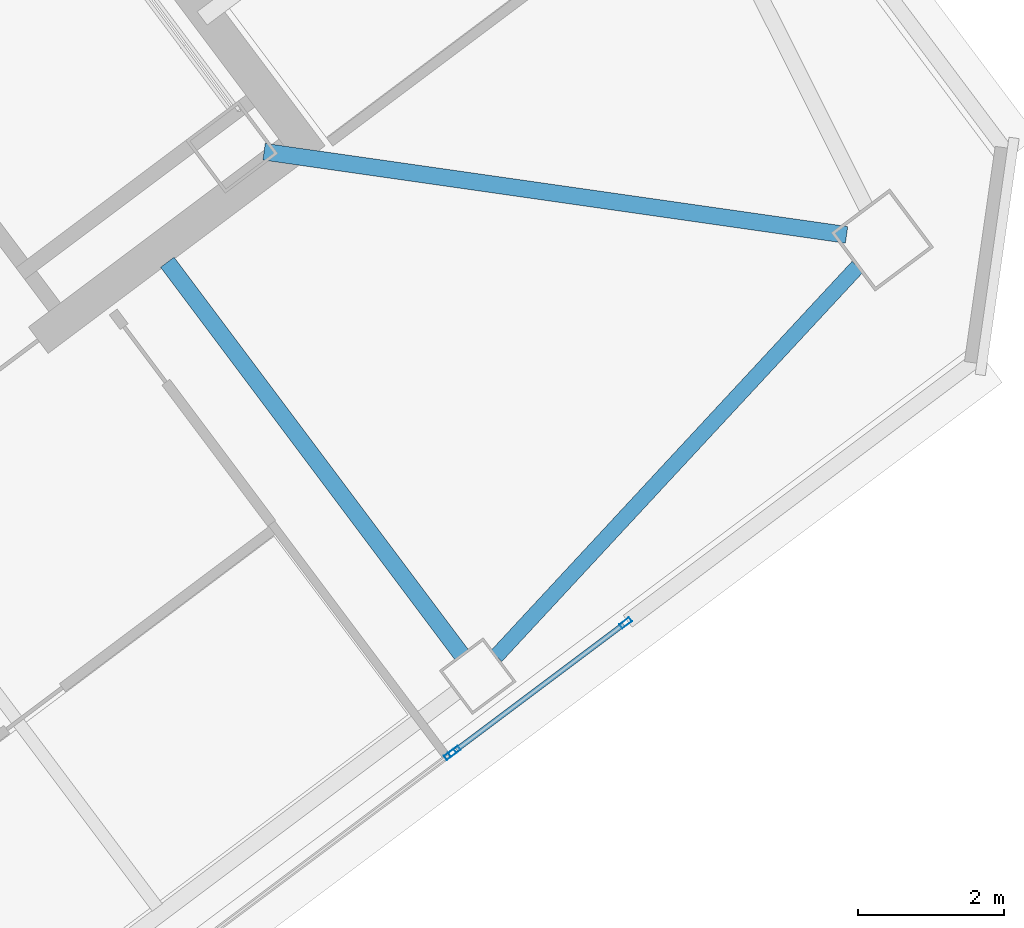
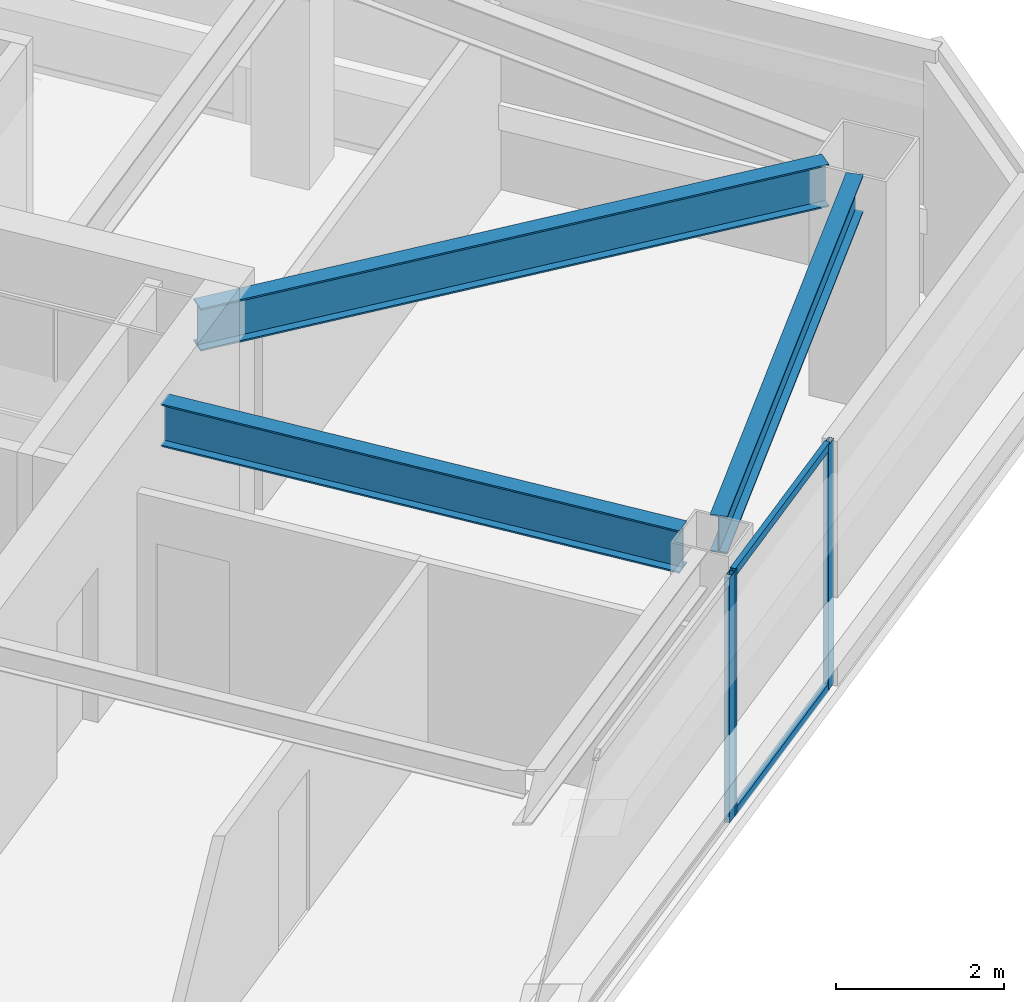
# One storey, part 23 of 39: 5 members, 3 beams, 2 elements without a shape of their own.
"""IFC4 building model written with IfcOpenShell, lengths in metres."""

from ifc_helpers import new_model, si_unit, direction, frame, origin, origin_2d, place, context, subcontext, project, spatial, hollow_rectangle, i_section, extrude, material, material_profile, profile_set, type_object, element, aggregate, save


model = new_model("IFC4")

# Units and contexts
model_context = context("Model", 3, precision=1e-05, world=origin(), true_north=direction((0.0, 1.0)))
body_context = subcontext(model_context, "Body", "Model", "MODEL_VIEW")
ifc_project = project(units=[si_unit("LENGTHUNIT", "METRE"), si_unit("AREAUNIT", "SQUARE_METRE"), si_unit("VOLUMEUNIT", "CUBIC_METRE"), si_unit("PLANEANGLEUNIT", "RADIAN"), si_unit("MASSUNIT", "GRAM", prefix="KILO")], contexts=[model_context])

# Site, building, storey
site_placement = place(None, origin())
site = spatial("IfcSite", under=ifc_project, at=site_placement, CompositionType="ELEMENT")
building_placement = place(site_placement, origin())
building = spatial("IfcBuilding", under=site, at=building_placement, Name="Tashvorn Skyway Center", CompositionType="ELEMENT")
storey_placement = place(building_placement, frame((0.0, 0.0, 225.5)))
storey = spatial("IfcBuildingStorey", under=building, at=storey_placement, Name="L61", CompositionType="ELEMENT", Elevation=225.5)

# Beams
ifc_material_1 = material(Name="Steel ASTM A992 Grade 50", Category="steel")
ifc_material_profile_1 = material_profile(ifc_material_1, i_section(OverallWidth=0.22998046875, OverallDepth=0.616943359375, WebThickness=0.01318359375, FlangeThickness=0.022216796875, at=origin_2d()), Name="W24X94")
ifc_profile_set_1 = profile_set([ifc_material_profile_1], Name="Steel ASTM A992 Grade 50")
beam_type_1 = type_object("IfcBeamType", Name="BM-BEAM-W24X94", PredefinedType="BEAM", material=ifc_profile_set_1)
beam_1_placement = place(storey_placement, frame((132.27001953125, 29.389892578125, 3.0615234375), z_axis=(-0.989947064346, 0.141438360399, 0.0), x_axis=(-0.141438360399, -0.989947064346, 0.0)))
element("IfcBeam", 1, at=beam_1_placement, inside=storey, type_object=beam_type_1, Name="Tower 2 L61 Primary Floor Girder MC-SE", PredefinedType="BEAM", context=body_context, shape_type="SweptSolid", body=[
    extrude(i_section(OverallWidth=0.22998046875, OverallDepth=0.616943359375, WebThickness=0.01318359375, FlangeThickness=0.022216796875, at=origin_2d()), origin(), (0.0, 0.0, 1.0), 8.040283203125),
])
beam_2_placement = place(storey_placement, frame((127.008056640625, 23.656005859375, 3.0615234375), z_axis=(-0.599994169845, 0.800004372583, 0.0), x_axis=(-0.800004372583, -0.599994169845, 0.0)))
element("IfcBeam", 2, at=beam_2_placement, inside=storey, type_object=beam_type_1, Name="Tower 2 L61 Primary Floor Girder FC-S2", PredefinedType="BEAM", context=body_context, shape_type="SweptSolid", body=[
    extrude(i_section(OverallWidth=0.22998046875, OverallDepth=0.616943359375, WebThickness=0.01318359375, FlangeThickness=0.022216796875, at=origin_2d()), origin(), (0.0, 0.0, 1.0), 6.7001953125),
])
ifc_material_profile_2 = material_profile(ifc_material_1, i_section(OverallWidth=0.2109375, OverallDepth=0.5390625, WebThickness=0.01171875, FlangeThickness=0.018798828125, at=origin_2d()), Name="W21X73")
ifc_profile_set_2 = profile_set([ifc_material_profile_2], Name="Steel ASTM A992 Grade 50")
beam_type_2 = type_object("IfcBeamType", Name="BM-SPANDREL-W21X73", PredefinedType="SPANDREL", material=ifc_profile_set_2)
beam_3_placement = place(storey_placement, frame((127.481689453125, 23.63134765625, 3.1005859375), z_axis=(0.680182956622, 0.733042389989, 0.0), x_axis=(-0.733042389989, 0.680182956622, 0.0)))
element("IfcBeam", 3, at=beam_3_placement, inside=storey, type_object=beam_type_2, Name="Tower 2 L61 Spandrel Beam 03", PredefinedType="SPANDREL", context=body_context, shape_type="SweptSolid", body=[
    extrude(i_section(OverallWidth=0.2109375, OverallDepth=0.5390625, WebThickness=0.01171875, FlangeThickness=0.018798828125, at=origin_2d()), origin(), (0.0, 0.0, 1.0), 7.26513671875),
])

# Curtain wall, members
ifc_material_2 = material(Name="Thermally broken bronze-anodized aluminium 6063-T6", Category="aluminium")
curtain_wall_type = type_object("IfcCurtainWallType", Name="CW-CW-Z5", PredefinedType="NOTDEFINED", material=ifc_material_2)
curtain_wall_1_placement = place(storey_placement, origin())
curtain_wall_1 = element("IfcCurtainWall", 4, at=curtain_wall_1_placement, inside=storey, type_object=curtain_wall_type, Name="Tower 2 L61 South Unitised Curtain Wall Glazing Group 1", PredefinedType="NOTDEFINED")
ifc_material_profile_3 = material_profile(ifc_material_2, hollow_rectangle(XDim=0.070068359375, YDim=0.1650390625, WallThickness=0.00390625, at=origin_2d()), Name="ALU-MULL-70x165")
ifc_profile_set_3 = profile_set([ifc_material_profile_3], Name="Thermally broken bronze-anodized aluminium 6063-T6")
member_type_1 = type_object("IfcMemberType", Name="CWM-CW-Z5", PredefinedType="MULLION", material=ifc_profile_set_3)
member_1_placement = place(storey_placement, frame((129.251220703125, 24.08837890625, 0.0), z_axis=(0.0, 0.0, 1.0), x_axis=(0.600000000002, -0.799999999998, 0.0)))
member_1 = element("IfcMember", 5, at=member_1_placement, type_object=member_type_1, Name="CW-Z5 mullion 1", PredefinedType="MULLION", context=body_context, shape_type="SweptSolid", body=[
    extrude(hollow_rectangle(XDim=0.070068359375, YDim=0.1650390625, WallThickness=0.00390625, at=origin_2d()), origin(), (0.0, 0.0, 1.0), 3.550048828125),
])
member_2_placement = place(storey_placement, frame((126.91064453125, 22.3330078125, 0.0), z_axis=(0.0, 0.0, 1.0), x_axis=(0.600000000002, -0.799999999998, 0.0)))
member_2 = element("IfcMember", 6, at=member_2_placement, type_object=member_type_1, Name="CW-Z5 mullion 2", PredefinedType="MULLION", context=body_context, shape_type="SweptSolid", body=[
    extrude(hollow_rectangle(XDim=0.070068359375, YDim=0.1650390625, WallThickness=0.00390625, at=origin_2d()), origin(), (0.0, 0.0, 1.0), 3.550048828125),
])

# Curtain wall, member
curtain_wall_2_placement = place(storey_placement, origin())
curtain_wall_2 = element("IfcCurtainWall", 7, at=curtain_wall_2_placement, inside=storey, type_object=curtain_wall_type, Name="Tower 2 L61 South Unitised Curtain Wall Glazing Group 2", PredefinedType="NOTDEFINED")
member_3_placement = place(storey_placement, frame((126.854736328125, 22.291015625, 0.0), z_axis=(0.0, 0.0, 1.0), x_axis=(0.599996439189, -0.800002670596, 0.0)))
member_3 = element("IfcMember", 8, at=member_3_placement, type_object=member_type_1, Name="CW-Z5 mullion 1", PredefinedType="MULLION", context=body_context, shape_type="SweptSolid", body=[
    extrude(hollow_rectangle(XDim=0.070068359375, YDim=0.1650390625, WallThickness=0.00390625, at=origin_2d()), origin(), (0.0, 0.0, 1.0), 3.550048828125),
])
aggregate(curtain_wall_2, [member_3])

# Member
ifc_material_profile_4 = material_profile(ifc_material_2, hollow_rectangle(XDim=0.070068359375, YDim=0.114990234375, WallThickness=0.00390625, at=origin_2d()), Name="ALU-TRAN-70x115")
ifc_profile_set_4 = profile_set([ifc_material_profile_4], Name="Thermally broken bronze-anodized aluminium 6063-T6")
member_type_2 = type_object("IfcMemberType", Name="CWT-CW-Z5", PredefinedType="USERDEFINED", material=ifc_profile_set_4)
member_4_placement = place(storey_placement, frame((129.22314453125, 24.0673828125, 0.034912109375), z_axis=(-0.799989740316, -0.600013679335, 0.0), x_axis=(0.600013679335, -0.799989740316, 0.0)))
member_4 = element("IfcMember", 9, at=member_4_placement, type_object=member_type_2, Name="CW-Z5 transom 1.1", ObjectType="TRANSOM", PredefinedType="USERDEFINED", context=body_context, shape_type="SweptSolid", body=[
    extrude(hollow_rectangle(XDim=0.070068359375, YDim=0.114990234375, WallThickness=0.00390625, at=origin_2d()), origin(), (0.0, 0.0, 1.0), 2.85546875),
])

member_5_placement = place(storey_placement, frame((129.22314453125, 24.0673828125, 3.514892578125), z_axis=(-0.799989740316, -0.600013679335, 0.0), x_axis=(0.600013679335, -0.799989740316, 0.0)))
member_5 = element("IfcMember", 10, at=member_5_placement, type_object=member_type_2, Name="CW-Z5 transom 1.2", ObjectType="TRANSOM", PredefinedType="USERDEFINED", context=body_context, shape_type="SweptSolid", body=[
    extrude(hollow_rectangle(XDim=0.070068359375, YDim=0.114990234375, WallThickness=0.00390625, at=origin_2d()), origin(), (0.0, 0.0, 1.0), 2.85546875),
])

aggregate(curtain_wall_1, [member_1, member_2, member_4, member_5])

save(model, "model.ifc")
